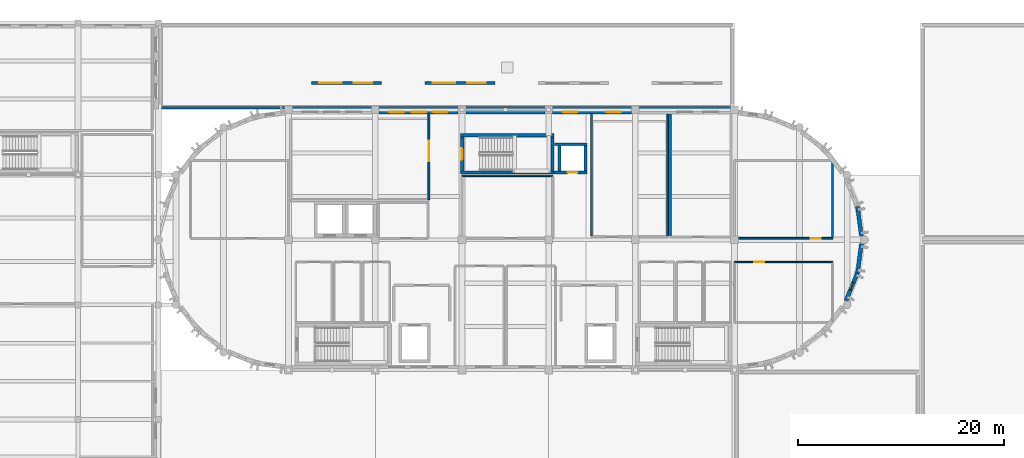
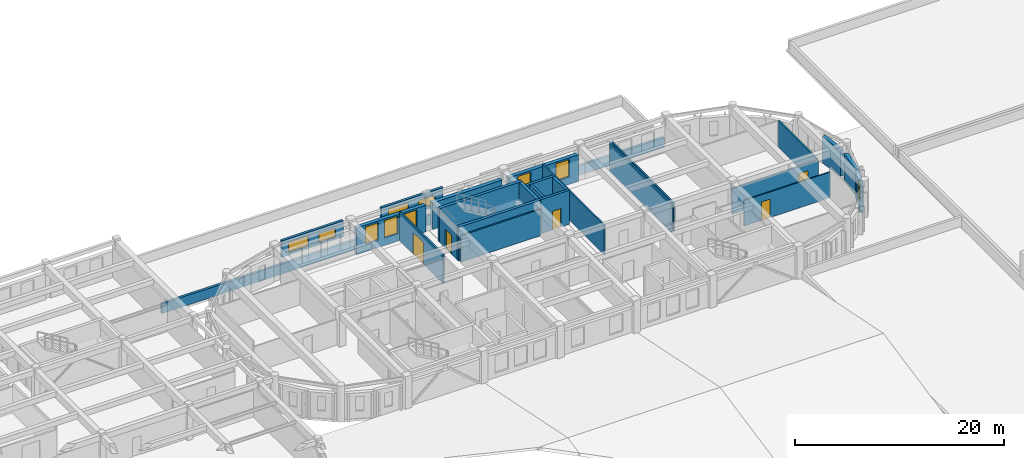
# One storey, part 24 of 46: 25 walls, 10 windows, 5 doors, 15 openings.
"""IFC4 building model written with IfcOpenShell, lengths in metres."""

from ifc_helpers import new_model, si_unit, direction, frame, frame_2d, origin, place, context, subcontext, project, spatial, rectangle, extrude, material, layer, layer_set, type_object, element, fill, save


model = new_model("IFC4")

# Units and contexts
model_context = context("Model", 3, precision=1e-05, world=origin(), true_north=direction((0.0, 1.0)))
body_context = subcontext(model_context, "Body", "Model", "MODEL_VIEW")
ifc_project = project(units=[si_unit("LENGTHUNIT", "METRE"), si_unit("AREAUNIT", "SQUARE_METRE"), si_unit("VOLUMEUNIT", "CUBIC_METRE"), si_unit("PLANEANGLEUNIT", "RADIAN"), si_unit("MASSUNIT", "GRAM", prefix="KILO")], contexts=[model_context])

# Site, building, storey
site_placement = place(None, origin())
site = spatial("IfcSite", under=ifc_project, at=site_placement, CompositionType="ELEMENT")
building_placement = place(site_placement, origin())
building = spatial("IfcBuilding", under=site, at=building_placement, Name="Tarnavel Promenade Courthouse", CompositionType="ELEMENT")
storey_placement = place(building_placement, frame((0.0, 0.0, 14.39990234375)))
storey = spatial("IfcBuildingStorey", under=building, at=storey_placement, Name="L04", CompositionType="ELEMENT", Elevation=14.39990234375)

# Walls
ifc_material_1 = material(Name="Acoustic Insulated Gypsum Stud Partition", Category="gypsum")
ifc_layer_1 = layer(ifc_material_1, 0.1650390625)
ifc_layer_set_1 = layer_set([ifc_layer_1], Name="Acoustic Insulated Gypsum Stud Partition")
wall_type_1 = type_object("IfcWallType", Name="Acoustic Insulated Gypsum Stud Partition WL-CHM-165 (165 mm)", PredefinedType="PARTITIONING", material=ifc_layer_set_1)
wall_1_placement = place(storey_placement, frame((75.60009765625, 98.0, 0.0), z_axis=(0.0, 0.0, 1.0), x_axis=(1.0, 0.0, 0.0)))
element("IfcWall", 1, at=wall_1_placement, inside=storey, type_object=wall_type_1, Name="L04 L04 Judicial Panel Deliberation Salon Partition 0628", PredefinedType="PARTITIONING", context=body_context, shape_type="SweptSolid", body=[
    extrude(rectangle(XDim=8.7998046875, YDim=0.1650390625, at=frame_2d((4.39990234375, 0.0))), origin(), (0.0, 0.0, 1.0), 3.090087890625),
])
wall_2_placement = place(storey_placement, frame((88.139892578125, 92.1826171875, 0.0), z_axis=(0.0, 0.0, 1.0), x_axis=(0.0, 1.0, 0.0)))
element("IfcWall", 2, at=wall_2_placement, inside=storey, type_object=wall_type_1, Name="L04 Judges' Chambers L04 North Partition 0633", PredefinedType="PARTITIONING", context=body_context, shape_type="SweptSolid", body=[
    extrude(rectangle(XDim=11.79833984375, YDim=0.1650390625, at=frame_2d((5.899169921875, 0.0))), origin(), (0.0, 0.0, 1.0), 3.39013671875),
])
for number, where, z_axis, x_axis, name in (
    (3, (95.527099609375, 103.98095703125, 0.0), (0.0, 0.0, 1.0), (0.0, -1.0, 0.0), "L04 Judges' Chambers L04 North Partition 0634"),
    (4, (95.806884765625, 92.1826171875, 0.0), (0.0, 0.0, 1.0), (0.0, 1.0, 0.0), "L04 Jury Room L04 Partition 0636"),
):
    element("IfcWall", number, at=place(storey_placement, frame(where, z_axis=z_axis, x_axis=x_axis)), inside=storey, type_object=wall_type_1, Name=name, PredefinedType="PARTITIONING", context=body_context, shape_type="SweptSolid", body=[
        extrude(rectangle(XDim=11.79833984375, YDim=0.1650390625, at=frame_2d((5.899169921875, 0.0))), origin(), (0.0, 0.0, 1.0), 3.2900390625),
    ])

# Wall, opening, door
wall_3_placement = place(storey_placement, frame((111.5, 91.949951171875, 0.0), z_axis=(0.0, 0.0, 1.0), x_axis=(-1.0, 0.0, 0.0)))
wall_3 = element("IfcWall", 5, at=wall_3_placement, inside=storey, type_object=wall_type_1, Name="L04 L04 East Drum Rotunda Jury North Partition 0649", PredefinedType="PARTITIONING", context=body_context, shape_type="SweptSolid", body=[
    extrude(rectangle(XDim=9.5, YDim=0.1650390625, at=frame_2d((4.75, 0.0))), origin(), (0.0, 0.0, 1.0), 2.989990234375),
])
opening_1_placement = place(wall_3_placement, frame((1.1298828125, 0.0, 0.0)))
opening_1 = element("IfcOpeningElement", 6, at=opening_1_placement, cuts=wall_3, Name="Opening ID-03", PredefinedType="OPENING", context=body_context, shape_type="SweptSolid", body=[
    extrude(rectangle(XDim=1.0, YDim=2.14990234375, at=frame_2d((0.5, 1.074951171875))), frame((0.0, 0.092529296875, 0.0), z_axis=(0.0, -1.0, 0.0), x_axis=(1.0, 0.0, 0.0)), (0.0, 0.0, 1.0), 0.18505859375),
])
ifc_material_2 = material(Name="Acoustic Solid-Core Oak Jury Room Door")
door_type_1 = type_object("IfcDoorType", Name="Acoustic Solid-Core Oak Jury Room Door (DR-JRY-1000x2150)", OperationType="NOTDEFINED", PredefinedType="DOOR", material=ifc_material_2)
door_1_placement = place(opening_1_placement, origin())
door_1 = element("IfcDoor", 7, at=door_1_placement, inside=storey, type_object=door_type_1, Name="L04 L04 East Drum Rotunda Jury North Door 0186", OperationType="SINGLE_SWING_RIGHT", OverallHeight=2.14990234375, OverallWidth=1.0, PredefinedType="DOOR", context=body_context, shape_type="SweptSolid", body=[
    extrude(rectangle(XDim=1.0, YDim=2.14990234375, at=frame_2d((0.5, 1.074951171875))), frame((0.0, 0.02490234375, 0.0), z_axis=(0.0, -1.0, 0.0), x_axis=(1.0, 0.0, 0.0)), (0.0, 0.0, 1.0), 0.050048828125),
])
fill(opening_1, door_1)

# Walls
wall_4_placement = place(storey_placement, frame((111.5, 99.407470703125, 0.0), z_axis=(0.0, 0.0, 1.0), x_axis=(0.0, -1.0, 0.0)))
element("IfcWall", 8, at=wall_4_placement, inside=storey, type_object=wall_type_1, Name="L04 L04 East Drum Rotunda Jury North Partition 0651", PredefinedType="PARTITIONING", context=body_context, shape_type="SweptSolid", body=[
    extrude(rectangle(XDim=7.364990234375, YDim=0.1650390625, at=frame_2d((3.6826171875, 0.0))), origin(), (0.0, 0.0, 1.0), 3.090087890625),
])
ifc_material_3 = material(Name="Concrete C35/45", Category="concrete")
ifc_layer_2 = layer(ifc_material_3, 0.264892578125)
ifc_layer_set_2 = layer_set([ifc_layer_2], Name="Concrete C35/45")
wall_type_2 = type_object("IfcWallType", Name="Concrete C35/45 WL-PAR-265 (265 mm)", PredefinedType="PARAPET", material=ifc_layer_set_2)
wall_5_placement = place(storey_placement, frame((101.800048828125, 104.60009765625, 0.235107421875), z_axis=(0.0, 0.0, 1.0), x_axis=(-1.0, 0.0, 0.0)))
element("IfcWall", 9, at=wall_5_placement, inside=storey, type_object=wall_type_2, Name="L04 North Foyer Roof Parapet South 0463", PredefinedType="PARAPET", context=body_context, shape_type="SweptSolid", body=[
    extrude(rectangle(XDim=55.400146484375, YDim=0.264892578125, at=frame_2d((27.7001953125, 0.0))), origin(), (0.0, 0.0, 1.0), 1.14501953125),
])

# Wall, openings, windows
wall_6_placement = place(storey_placement, frame((61.0, 107.0, 0.235107421875), z_axis=(0.0, 0.0, 1.0), x_axis=(1.0, 0.0, 0.0)))
wall_6 = element("IfcWall", 10, at=wall_6_placement, inside=storey, type_object=wall_type_2, Name="L04 North Foyer Skylight Lantern Curb 1 0478", PredefinedType="PARAPET", context=body_context, shape_type="SweptSolid", body=[
    extrude(rectangle(XDim=6.800048828125, YDim=0.264892578125, at=frame_2d((3.39990234375, 0.0))), origin(), (0.0, 0.0, 1.0), 1.9150390625),
])
opening_2_placement = place(wall_6_placement, frame((0.75, 0.0, 0.300048828125)))
opening_2 = element("IfcOpeningElement", 11, at=opening_2_placement, cuts=wall_6, Name="Opening SK-01", PredefinedType="OPENING", context=body_context, shape_type="SweptSolid", body=[
    extrude(rectangle(XDim=2.199951171875, YDim=1.199951171875, at=frame_2d((1.10009765625, 0.60009765625))), frame((0.0, 0.142333984375, 0.0), z_axis=(0.0, -1.0, 0.0), x_axis=(1.0, 0.0, 0.0)), (0.0, 0.0, 1.0), 0.284912109375),
])
opening_3_placement = place(wall_6_placement, frame((4.10009765625, 0.0, 0.300048828125)))
opening_3 = element("IfcOpeningElement", 12, at=opening_3_placement, cuts=wall_6, Name="Opening SK-02", PredefinedType="OPENING", context=body_context, shape_type="SweptSolid", body=[
    extrude(rectangle(XDim=1.800048828125, YDim=1.050048828125, at=frame_2d((0.89990234375, 0.52490234375))), frame((0.0, 0.142333984375, 0.0), z_axis=(0.0, -1.0, 0.0), x_axis=(1.0, 0.0, 0.0)), (0.0, 0.0, 1.0), 0.284912109375),
])
ifc_material_4 = material(Name="Triple Low-E Glazed Bronze-Clad Window Assembly")
window_type_1 = type_object("IfcWindowType", Name="Triple-Glazed Bronze-Clad Timber-Aluminium SKY-LAN-1800x1050", PartitioningType="SINGLE_PANEL", PredefinedType="SKYLIGHT", material=ifc_material_4)
window_1_placement = place(opening_3_placement, origin())
window_1 = element("IfcWindow", 13, at=window_1_placement, inside=storey, type_object=window_type_1, Name="Daylight Lantern Skylight 1B", OverallHeight=1.050048828125, OverallWidth=1.800048828125, PartitioningType="SINGLE_PANEL", PredefinedType="SKYLIGHT", context=body_context, shape_type="SweptSolid", body=[
    extrude(rectangle(XDim=1.800048828125, YDim=1.050048828125, at=frame_2d((0.89990234375, 0.52490234375))), frame((0.0, 0.030029296875, 0.0), z_axis=(0.0, -1.0, 0.0), x_axis=(1.0, 0.0, 0.0)), (0.0, 0.0, 1.0), 0.06005859375),
])
fill(opening_3, window_1)
window_type_2 = type_object("IfcWindowType", Name="Triple-Glazed Bronze-Clad Timber-Aluminium SKY-LAN-2200x1200", PartitioningType="SINGLE_PANEL", PredefinedType="SKYLIGHT", material=ifc_material_4)
window_2_placement = place(opening_2_placement, origin())
window_2 = element("IfcWindow", 14, at=window_2_placement, inside=storey, type_object=window_type_2, Name="Daylight Lantern Skylight 1A", OverallHeight=1.199951171875, OverallWidth=2.199951171875, PartitioningType="SINGLE_PANEL", PredefinedType="SKYLIGHT", context=body_context, shape_type="SweptSolid", body=[
    extrude(rectangle(XDim=2.199951171875, YDim=1.199951171875, at=frame_2d((1.10009765625, 0.60009765625))), frame((0.0, 0.030029296875, 0.0), z_axis=(0.0, -1.0, 0.0), x_axis=(1.0, 0.0, 0.0)), (0.0, 0.0, 1.0), 0.06005859375),
])
fill(opening_2, window_2)

wall_7_placement = place(storey_placement, frame((72.0, 107.0, 0.235107421875), z_axis=(0.0, 0.0, 1.0), x_axis=(1.0, 0.0, 0.0)))
wall_7 = element("IfcWall", 15, at=wall_7_placement, inside=storey, type_object=wall_type_2, Name="L04 North Foyer Skylight Lantern Curb 2 0479", PredefinedType="PARAPET", context=body_context, shape_type="SweptSolid", body=[
    extrude(rectangle(XDim=6.800048828125, YDim=0.264892578125, at=frame_2d((3.39990234375, 0.0))), origin(), (0.0, 0.0, 1.0), 1.9150390625),
])
opening_4_placement = place(wall_7_placement, frame((0.75, 0.0, 0.300048828125)))
opening_4 = element("IfcOpeningElement", 16, at=opening_4_placement, cuts=wall_7, Name="Opening SK-01", PredefinedType="OPENING", context=body_context, shape_type="SweptSolid", body=[
    extrude(rectangle(XDim=2.199951171875, YDim=1.199951171875, at=frame_2d((1.10009765625, 0.60009765625))), frame((0.0, 0.142333984375, 0.0), z_axis=(0.0, -1.0, 0.0), x_axis=(1.0, 0.0, 0.0)), (0.0, 0.0, 1.0), 0.284912109375),
])
opening_5_placement = place(wall_7_placement, frame((4.10009765625, 0.0, 0.300048828125)))
opening_5 = element("IfcOpeningElement", 17, at=opening_5_placement, cuts=wall_7, Name="Opening SK-02", PredefinedType="OPENING", context=body_context, shape_type="SweptSolid", body=[
    extrude(rectangle(XDim=1.800048828125, YDim=1.050048828125, at=frame_2d((0.89990234375, 0.52490234375))), frame((0.0, 0.142333984375, 0.0), z_axis=(0.0, -1.0, 0.0), x_axis=(1.0, 0.0, 0.0)), (0.0, 0.0, 1.0), 0.284912109375),
])
window_3_placement = place(opening_5_placement, origin())
window_3 = element("IfcWindow", 18, at=window_3_placement, inside=storey, type_object=window_type_1, Name="Daylight Lantern Skylight 2B", OverallHeight=1.050048828125, OverallWidth=1.800048828125, PartitioningType="SINGLE_PANEL", PredefinedType="SKYLIGHT", context=body_context, shape_type="SweptSolid", body=[
    extrude(rectangle(XDim=1.800048828125, YDim=1.050048828125, at=frame_2d((0.89990234375, 0.52490234375))), frame((0.0, 0.030029296875, 0.0), z_axis=(0.0, -1.0, 0.0), x_axis=(1.0, 0.0, 0.0)), (0.0, 0.0, 1.0), 0.06005859375),
])
fill(opening_5, window_3)
window_4_placement = place(opening_4_placement, origin())
window_4 = element("IfcWindow", 19, at=window_4_placement, inside=storey, type_object=window_type_2, Name="Daylight Lantern Skylight 2A", OverallHeight=1.199951171875, OverallWidth=2.199951171875, PartitioningType="SINGLE_PANEL", PredefinedType="SKYLIGHT", context=body_context, shape_type="SweptSolid", body=[
    extrude(rectangle(XDim=2.199951171875, YDim=1.199951171875, at=frame_2d((1.10009765625, 0.60009765625))), frame((0.0, 0.030029296875, 0.0), z_axis=(0.0, -1.0, 0.0), x_axis=(1.0, 0.0, 0.0)), (0.0, 0.0, 1.0), 0.06005859375),
])
fill(opening_4, window_4)

# Wall
ifc_material_5 = material(Name="Concrete C40/50", Category="concrete")
ifc_layer_3 = layer(ifc_material_5, 0.280029296875)
ifc_layer_set_3 = layer_set([ifc_layer_3], Name="Concrete C40/50")
wall_type_3 = type_object("IfcWallType", Name="Concrete C40/50 WL-SHR-280 (280 mm)", PredefinedType="SHEAR", material=ifc_layer_set_3)
wall_8_placement = place(storey_placement, frame((84.5400390625, 101.06005859375, 0.0), z_axis=(0.0, 0.0, 1.0), x_axis=(1.0, 0.0, 0.0)))
element("IfcWall", 20, at=wall_8_placement, inside=storey, type_object=wall_type_3, Name="L04 L-JUD1 Lift Shaft North Wall", PredefinedType="SHEAR", context=body_context, shape_type="SweptSolid", body=[
    extrude(rectangle(XDim=3.159912109375, YDim=0.280029296875, at=frame_2d((1.580078125, 0.0))), origin(), (0.0, 0.0, 1.0), 3.960205078125),
])

# Wall, opening, door
wall_9_placement = place(storey_placement, frame((87.699951171875, 98.340087890625, 0.0), z_axis=(0.0, 0.0, 1.0), x_axis=(-1.0, 0.0, 0.0)))
wall_9 = element("IfcWall", 21, at=wall_9_placement, inside=storey, type_object=wall_type_3, Name="L04 L-JUD1 Lift Shaft South Wall", PredefinedType="SHEAR", context=body_context, shape_type="SweptSolid", body=[
    extrude(rectangle(XDim=3.159912109375, YDim=0.280029296875, at=frame_2d((1.580078125, 0.0))), origin(), (0.0, 0.0, 1.0), 3.960205078125),
])
opening_6_placement = place(wall_9_placement, frame((0.925048828125, 0.0, 0.0)))
opening_6 = element("IfcOpeningElement", 22, at=opening_6_placement, cuts=wall_9, Name="Opening LD-03", PredefinedType="OPENING", context=body_context, shape_type="SweptSolid", body=[
    extrude(rectangle(XDim=0.949951171875, YDim=2.14990234375, at=frame_2d((0.47509765625, 1.074951171875))), frame((0.0, 0.14990234375, 0.0), z_axis=(0.0, -1.0, 0.0), x_axis=(1.0, 0.0, 0.0)), (0.0, 0.0, 1.0), 0.300048828125),
])
ifc_material_6 = material(Name="Stainless Steel Judicial Lift Landing Sliding Door", Category="steel")
door_type_2 = type_object("IfcDoorType", Name="Stainless Steel Judicial Lift Landing Sliding Door (LD-JUD-0950x2150)", OperationType="NOTDEFINED", PredefinedType="DOOR", material=ifc_material_6)
door_2_placement = place(opening_6_placement, origin())
door_2 = element("IfcDoor", 23, at=door_2_placement, inside=storey, type_object=door_type_2, Name="L04 L-JUD1 Lift Sliding Landing Door", OperationType="DOUBLE_DOOR_SLIDING", OverallHeight=2.14990234375, OverallWidth=0.949951171875, PredefinedType="DOOR", context=body_context, shape_type="SweptSolid", body=[
    extrude(rectangle(XDim=0.949951171875, YDim=2.14990234375, at=frame_2d((0.47509765625, 1.074951171875))), frame((0.0, 0.02490234375, 0.0), z_axis=(0.0, -1.0, 0.0), x_axis=(1.0, 0.0, 0.0)), (0.0, 0.0, 1.0), 0.050048828125),
])
fill(opening_6, door_2)

# Walls
for number, where, z_axis, x_axis, name in (
    (24, (85.0400390625, 98.47998046875, 0.0), (0.0, 0.0, 1.0), (0.0, 1.0, 0.0), "L04 L-JUD1 Lift Shaft West Wall"),
    (25, (87.56005859375, 100.919921875, 0.0), (0.0, 0.0, 1.0), (0.0, -1.0, 0.0), "L04 L-JUD1 Lift Shaft East Wall"),
):
    element("IfcWall", number, at=place(storey_placement, frame(where, z_axis=z_axis, x_axis=x_axis)), inside=storey, type_object=wall_type_3, Name=name, PredefinedType="SHEAR", context=body_context, shape_type="SweptSolid", body=[
        extrude(rectangle(XDim=2.43994140625, YDim=0.280029296875, at=frame_2d((1.219970703125, 0.0))), origin(), (0.0, 0.0, 1.0), 3.960205078125),
    ])
ifc_layer_4 = layer(ifc_material_5, 0.320068359375)
ifc_layer_set_4 = layer_set([ifc_layer_4], Name="Concrete C40/50")
wall_type_4 = type_object("IfcWallType", Name="Concrete C40/50 WL-SHR-320 (320 mm)", PredefinedType="SHEAR", material=ifc_layer_set_4)
for number, where, z_axis, x_axis, name in (
    (26, (75.4599609375, 101.919921875, 0.0), (0.0, 0.0, 1.0), (1.0, 0.0, 0.0), "L04 ST-03 Shear Core North Wall"),
    (27, (84.5400390625, 98.320068359375, 0.0), (0.0, 0.0, 1.0), (-1.0, 0.0, 0.0), "L04 ST-03 Shear Core South Wall"),
):
    element("IfcWall", number, at=place(storey_placement, frame(where, z_axis=z_axis, x_axis=x_axis)), inside=storey, type_object=wall_type_4, Name=name, PredefinedType="SHEAR", context=body_context, shape_type="SweptSolid", body=[
        extrude(rectangle(XDim=9.080078125, YDim=0.320068359375, at=frame_2d((4.5400390625, 0.0))), origin(), (0.0, 0.0, 1.0), 3.960205078125),
    ])

# Wall, opening, door
wall_10_placement = place(storey_placement, frame((75.6201171875, 98.47998046875, 0.0), z_axis=(0.0, 0.0, 1.0), x_axis=(0.0, 1.0, 0.0)))
wall_10 = element("IfcWall", 28, at=wall_10_placement, inside=storey, type_object=wall_type_4, Name="L04 ST-03 Shear Core West Landing Wall", PredefinedType="SHEAR", context=body_context, shape_type="SweptSolid", body=[
    extrude(rectangle(XDim=3.280029296875, YDim=0.320068359375, at=frame_2d((1.64013671875, 0.0))), origin(), (0.0, 0.0, 1.0), 3.960205078125),
])
opening_7_placement = place(wall_10_placement, frame((1.06494140625, 0.0, 0.0)))
opening_7 = element("IfcOpeningElement", 29, at=opening_7_placement, cuts=wall_10, Name="Opening FD-01", PredefinedType="OPENING", context=body_context, shape_type="SweptSolid", body=[
    extrude(rectangle(XDim=1.14990234375, YDim=2.199951171875, at=frame_2d((0.574951171875, 1.10009765625))), frame((0.0, 0.169921875, 0.0), z_axis=(0.0, -1.0, 0.0), x_axis=(1.0, 0.0, 0.0)), (0.0, 0.0, 1.0), 0.340087890625),
])
ifc_material_7 = material(Name="Steel Fire-Rated Stair Core Door", Category="steel")
door_type_3 = type_object("IfcDoorType", Name="Steel Fire-Rated Stair Core Door (DR-ST-1150x2200)", OperationType="NOTDEFINED", PredefinedType="DOOR", material=ifc_material_7)
door_3_placement = place(opening_7_placement, origin())
door_3 = element("IfcDoor", 30, at=door_3_placement, inside=storey, type_object=door_type_3, Name="L04 ST-03 Protected Exit Stair Door", OperationType="SINGLE_SWING_RIGHT", OverallHeight=2.199951171875, OverallWidth=1.14990234375, PredefinedType="DOOR", context=body_context, shape_type="SweptSolid", body=[
    extrude(rectangle(XDim=1.14990234375, YDim=2.199951171875, at=frame_2d((0.574951171875, 1.10009765625))), frame((0.0, 0.02490234375, 0.0), z_axis=(0.0, -1.0, 0.0), x_axis=(1.0, 0.0, 0.0)), (0.0, 0.0, 1.0), 0.050048828125),
])
fill(opening_7, door_3)

# Wall
wall_11_placement = place(storey_placement, frame((84.3798828125, 101.760009765625, 0.0), z_axis=(0.0, 0.0, 1.0), x_axis=(0.0, -1.0, 0.0)))
element("IfcWall", 31, at=wall_11_placement, inside=storey, type_object=wall_type_4, Name="L04 ST-03 Shear Core East Wall", PredefinedType="SHEAR", context=body_context, shape_type="SweptSolid", body=[
    extrude(rectangle(XDim=3.280029296875, YDim=0.320068359375, at=frame_2d((1.64013671875, 0.0))), origin(), (0.0, 0.0, 1.0), 3.960205078125),
])

# Wall, openings, windows
ifc_material_8 = material(Name="Cream Brick Insulated Cavity Facade Assembly", Category="masonry")
ifc_layer_5 = layer(ifc_material_8, 0.409912109375)
ifc_layer_set_5 = layer_set([ifc_layer_5], Name="Cream Brick Insulated Cavity Facade Assembly")
wall_type_5 = type_object("IfcWallType", Name="Cream Brick Insulated Cavity Facade Assembly WL-EXT-410 (410 mm)", PredefinedType="STANDARD", material=ifc_layer_set_5)
wall_12_placement = place(storey_placement, frame((67.56689453125, 104.179931640625, 0.0), z_axis=(0.0, 0.0, 1.0), x_axis=(1.0, 0.0, 0.0)))
wall_12 = element("IfcWall", 32, at=wall_12_placement, inside=storey, type_object=wall_type_5, Name="L04 Bar North Limestone Facade 0075", PredefinedType="STANDARD", context=body_context, shape_type="SweptSolid", body=[
    extrude(rectangle(XDim=7.666015625, YDim=0.409912109375, at=frame_2d((3.8330078125, 0.0))), origin(), (0.0, 0.0, 1.0), 3.090087890625),
])
opening_8_placement = place(wall_12_placement, frame((0.99462890625, 0.0, 0.85009765625)))
opening_8 = element("IfcOpeningElement", 33, at=opening_8_placement, cuts=wall_12, Name="Opening W-03", PredefinedType="OPENING", context=body_context, shape_type="SweptSolid", body=[
    extrude(rectangle(XDim=1.449951171875, YDim=2.050048828125, at=frame_2d((0.72509765625, 1.02490234375))), frame((0.0, 0.21484375, 0.0), z_axis=(0.0, -1.0, 0.0), x_axis=(1.0, 0.0, 0.0)), (0.0, 0.0, 1.0), 0.429931640625),
])
opening_9_placement = place(wall_12_placement, frame((3.10791015625, 0.0, 0.85009765625)))
opening_9 = element("IfcOpeningElement", 34, at=opening_9_placement, cuts=wall_12, Name="Opening W-03", PredefinedType="OPENING", context=body_context, shape_type="SweptSolid", body=[
    extrude(rectangle(XDim=1.449951171875, YDim=2.050048828125, at=frame_2d((0.72509765625, 1.02490234375))), frame((0.0, 0.21484375, 0.0), z_axis=(0.0, -1.0, 0.0), x_axis=(1.0, 0.0, 0.0)), (0.0, 0.0, 1.0), 0.429931640625),
])
opening_10_placement = place(wall_12_placement, frame((5.22119140625, 0.0, 0.85009765625)))
opening_10 = element("IfcOpeningElement", 35, at=opening_10_placement, cuts=wall_12, Name="Opening W-03", PredefinedType="OPENING", context=body_context, shape_type="SweptSolid", body=[
    extrude(rectangle(XDim=1.449951171875, YDim=2.050048828125, at=frame_2d((0.72509765625, 1.02490234375))), frame((0.0, 0.21484375, 0.0), z_axis=(0.0, -1.0, 0.0), x_axis=(1.0, 0.0, 0.0)), (0.0, 0.0, 1.0), 0.429931640625),
])
window_type_3 = type_object("IfcWindowType", Name="Triple-Glazed Bronze-Clad Timber-Aluminium WIN-APP-1450x2050", PartitioningType="SINGLE_PANEL", PredefinedType="WINDOW", material=ifc_material_4)
window_5_placement = place(opening_8_placement, origin())
window_5 = element("IfcWindow", 36, at=window_5_placement, inside=storey, type_object=window_type_3, Name="L04 Exterior Window 0050", OverallHeight=2.050048828125, OverallWidth=1.449951171875, PartitioningType="SINGLE_PANEL", PredefinedType="WINDOW", context=body_context, shape_type="SweptSolid", body=[
    extrude(rectangle(XDim=1.449951171875, YDim=2.050048828125, at=frame_2d((0.72509765625, 1.02490234375))), frame((0.0, 0.030029296875, 0.0), z_axis=(0.0, -1.0, 0.0), x_axis=(1.0, 0.0, 0.0)), (0.0, 0.0, 1.0), 0.06005859375),
])
fill(opening_8, window_5)
window_6_placement = place(opening_9_placement, origin())
window_6 = element("IfcWindow", 37, at=window_6_placement, inside=storey, type_object=window_type_3, Name="L04 Exterior Window 0051", OverallHeight=2.050048828125, OverallWidth=1.449951171875, PartitioningType="SINGLE_PANEL", PredefinedType="WINDOW", context=body_context, shape_type="SweptSolid", body=[
    extrude(rectangle(XDim=1.449951171875, YDim=2.050048828125, at=frame_2d((0.72509765625, 1.02490234375))), frame((0.0, 0.030029296875, 0.0), z_axis=(0.0, -1.0, 0.0), x_axis=(1.0, 0.0, 0.0)), (0.0, 0.0, 1.0), 0.06005859375),
])
fill(opening_9, window_6)
window_7_placement = place(opening_10_placement, origin())
window_7 = element("IfcWindow", 38, at=window_7_placement, inside=storey, type_object=window_type_3, Name="L04 Exterior Window 0052", OverallHeight=2.050048828125, OverallWidth=1.449951171875, PartitioningType="SINGLE_PANEL", PredefinedType="WINDOW", context=body_context, shape_type="SweptSolid", body=[
    extrude(rectangle(XDim=1.449951171875, YDim=2.050048828125, at=frame_2d((0.72509765625, 1.02490234375))), frame((0.0, 0.030029296875, 0.0), z_axis=(0.0, -1.0, 0.0), x_axis=(1.0, 0.0, 0.0)), (0.0, 0.0, 1.0), 0.06005859375),
])
fill(opening_10, window_7)

# Wall
wall_13_placement = place(storey_placement, frame((75.967041015625, 104.179931640625, 0.0), z_axis=(0.0, 0.0, 1.0), x_axis=(1.0, 0.0, 0.0)))
element("IfcWall", 39, at=wall_13_placement, inside=storey, type_object=wall_type_5, Name="L04 Bar North Limestone Facade 0076", PredefinedType="STANDARD", context=body_context, shape_type="SweptSolid", body=[
    extrude(rectangle(XDim=7.666015625, YDim=0.409912109375, at=frame_2d((3.8330078125, 0.0))), origin(), (0.0, 0.0, 1.0), 3.090087890625),
])

# Wall, openings, windows
wall_14_placement = place(storey_placement, frame((84.366943359375, 104.179931640625, 0.0), z_axis=(0.0, 0.0, 1.0), x_axis=(1.0, 0.0, 0.0)))
wall_14 = element("IfcWall", 40, at=wall_14_placement, inside=storey, type_object=wall_type_5, Name="L04 Bar North Limestone Facade 0077", PredefinedType="STANDARD", context=body_context, shape_type="SweptSolid", body=[
    extrude(rectangle(XDim=7.666015625, YDim=0.409912109375, at=frame_2d((3.8330078125, 0.0))), origin(), (0.0, 0.0, 1.0), 3.090087890625),
])
opening_11_placement = place(wall_14_placement, frame((0.99462890625, 0.0, 0.85009765625)))
opening_11 = element("IfcOpeningElement", 41, at=opening_11_placement, cuts=wall_14, Name="Opening W-03", PredefinedType="OPENING", context=body_context, shape_type="SweptSolid", body=[
    extrude(rectangle(XDim=1.449951171875, YDim=2.050048828125, at=frame_2d((0.72509765625, 1.02490234375))), frame((0.0, 0.21484375, 0.0), z_axis=(0.0, -1.0, 0.0), x_axis=(1.0, 0.0, 0.0)), (0.0, 0.0, 1.0), 0.429931640625),
])
opening_12_placement = place(wall_14_placement, frame((5.22119140625, 0.0, 0.85009765625)))
opening_12 = element("IfcOpeningElement", 42, at=opening_12_placement, cuts=wall_14, Name="Opening W-03", PredefinedType="OPENING", context=body_context, shape_type="SweptSolid", body=[
    extrude(rectangle(XDim=1.449951171875, YDim=2.050048828125, at=frame_2d((0.72509765625, 1.02490234375))), frame((0.0, 0.21484375, 0.0), z_axis=(0.0, -1.0, 0.0), x_axis=(1.0, 0.0, 0.0)), (0.0, 0.0, 1.0), 0.429931640625),
])
window_8_placement = place(opening_11_placement, origin())
window_8 = element("IfcWindow", 43, at=window_8_placement, inside=storey, type_object=window_type_3, Name="L04 Exterior Window 0053", OverallHeight=2.050048828125, OverallWidth=1.449951171875, PartitioningType="SINGLE_PANEL", PredefinedType="WINDOW", context=body_context, shape_type="SweptSolid", body=[
    extrude(rectangle(XDim=1.449951171875, YDim=2.050048828125, at=frame_2d((0.72509765625, 1.02490234375))), frame((0.0, 0.030029296875, 0.0), z_axis=(0.0, -1.0, 0.0), x_axis=(1.0, 0.0, 0.0)), (0.0, 0.0, 1.0), 0.06005859375),
])
fill(opening_11, window_8)
window_9_placement = place(opening_12_placement, origin())
window_9 = element("IfcWindow", 44, at=window_9_placement, inside=storey, type_object=window_type_3, Name="L04 Exterior Window 0054", OverallHeight=2.050048828125, OverallWidth=1.449951171875, PartitioningType="SINGLE_PANEL", PredefinedType="WINDOW", context=body_context, shape_type="SweptSolid", body=[
    extrude(rectangle(XDim=1.449951171875, YDim=2.050048828125, at=frame_2d((0.72509765625, 1.02490234375))), frame((0.0, 0.030029296875, 0.0), z_axis=(0.0, -1.0, 0.0), x_axis=(1.0, 0.0, 0.0)), (0.0, 0.0, 1.0), 0.06005859375),
])
fill(opening_12, window_9)

# Wall, opening, door
ifc_material_9 = material(Name="Double-Stud Acoustic Courtroom Partition Assembly", Category="gypsum")
ifc_layer_6 = layer(ifc_material_9, 0.18505859375)
ifc_layer_set_6 = layer_set([ifc_layer_6], Name="Double-Stud Acoustic Courtroom Partition Assembly")
wall_type_6 = type_object("IfcWallType", Name="Double-Stud Acoustic Courtroom Partition Assembly WL-CRT-185 (185 mm)", PredefinedType="PARTITIONING", material=ifc_layer_set_6)
wall_15_placement = place(storey_placement, frame((72.39990234375, 103.98095703125, 0.0), z_axis=(0.0, 0.0, 1.0), x_axis=(0.0, -1.0, 0.0)))
wall_15 = element("IfcWall", 45, at=wall_15_placement, inside=storey, type_object=wall_type_6, Name="L04 Constitutional Review Courtroom Partition 0623", PredefinedType="PARTITIONING", context=body_context, shape_type="SweptSolid", body=[
    extrude(rectangle(XDim=8.278564453125, YDim=0.18505859375, at=frame_2d((4.13916015625, 0.0))), origin(), (0.0, 0.0, 1.0), 3.340087890625),
])
opening_13_placement = place(wall_15_placement, frame((2.581298828125, 0.0, 0.0)))
opening_13 = element("IfcOpeningElement", 46, at=opening_13_placement, cuts=wall_15, Name="Opening ID-01", PredefinedType="OPENING", context=body_context, shape_type="SweptSolid", body=[
    extrude(rectangle(XDim=2.0, YDim=2.5, at=frame_2d((1.0, 1.25))), frame((0.0, 0.1025390625, 0.0), z_axis=(0.0, -1.0, 0.0), x_axis=(1.0, 0.0, 0.0)), (0.0, 0.0, 1.0), 0.205078125),
])
ifc_material_10 = material(Name="Solid Oak Acoustic Courtroom Double Door")
door_type_4 = type_object("IfcDoorType", Name="Solid Oak Acoustic Courtroom Double Door (DR-CRT-2000x2500)", OperationType="NOTDEFINED", PredefinedType="DOOR", material=ifc_material_10)
door_4_placement = place(opening_13_placement, origin())
door_4 = element("IfcDoor", 47, at=door_4_placement, inside=storey, type_object=door_type_4, Name="L04 Constitutional Review Courtroom Door 0178", OperationType="DOUBLE_DOOR_SINGLE_SWING", OverallHeight=2.5, OverallWidth=2.0, PredefinedType="DOOR", context=body_context, shape_type="SweptSolid", body=[
    extrude(rectangle(XDim=2.0, YDim=2.5, at=frame_2d((1.0, 1.25))), frame((0.0, 0.02490234375, 0.0), z_axis=(0.0, -1.0, 0.0), x_axis=(1.0, 0.0, 0.0)), (0.0, 0.0, 1.0), 0.050048828125),
])
fill(opening_13, door_4)

ifc_material_11 = material(Name="Metal-Stud Acoustic Gypsum Partition", Category="gypsum")
ifc_layer_7 = layer(ifc_material_11, 0.135009765625)
ifc_layer_set_7 = layer_set([ifc_layer_7], Name="Metal-Stud Acoustic Gypsum Partition")
wall_type_7 = type_object("IfcWallType", Name="Metal-Stud Acoustic Gypsum Partition WL-OFF-135 (135 mm)", PredefinedType="PARTITIONING", material=ifc_layer_set_7)
wall_16_placement = place(storey_placement, frame((102.0, 89.64990234375, 0.0), z_axis=(0.0, 0.0, 1.0), x_axis=(1.0, 0.0, 0.0)))
wall_16 = element("IfcWall", 48, at=wall_16_placement, inside=storey, type_object=wall_type_7, Name="L04 L04 East Drum Collegium Reference Room Partition 0652", PredefinedType="PARTITIONING", context=body_context, shape_type="SweptSolid", body=[
    extrude(rectangle(XDim=9.5, YDim=0.135009765625, at=frame_2d((4.75, 0.0))), origin(), (0.0, 0.0, 1.0), 2.989990234375),
])
opening_14_placement = place(wall_16_placement, frame((1.919921875, 0.0, 0.0)))
opening_14 = element("IfcOpeningElement", 49, at=opening_14_placement, cuts=wall_16, Name="Opening ID-06", PredefinedType="OPENING", context=body_context, shape_type="SweptSolid", body=[
    extrude(rectangle(XDim=0.949951171875, YDim=2.14990234375, at=frame_2d((0.47509765625, 1.074951171875))), frame((0.0, 0.077392578125, 0.0), z_axis=(0.0, -1.0, 0.0), x_axis=(1.0, 0.0, 0.0)), (0.0, 0.0, 1.0), 0.155029296875),
])
ifc_material_12 = material(Name="Acoustic Timber Veneer Office Door", Category="wood")
door_type_5 = type_object("IfcDoorType", Name="Acoustic Timber Veneer Office Door (DR-OFF-0950x2150)", OperationType="NOTDEFINED", PredefinedType="DOOR", material=ifc_material_12)
door_5_placement = place(opening_14_placement, origin())
door_5 = element("IfcDoor", 50, at=door_5_placement, inside=storey, type_object=door_type_5, Name="L04 L04 East Drum Collegium Reference Room Door 0187", OperationType="SINGLE_SWING_LEFT", OverallHeight=2.14990234375, OverallWidth=0.949951171875, PredefinedType="DOOR", context=body_context, shape_type="SweptSolid", body=[
    extrude(rectangle(XDim=0.949951171875, YDim=2.14990234375, at=frame_2d((0.47509765625, 1.074951171875))), frame((0.0, 0.02490234375, 0.0), z_axis=(0.0, -1.0, 0.0), x_axis=(1.0, 0.0, 0.0)), (0.0, 0.0, 1.0), 0.050048828125),
])
fill(opening_14, door_5)

# Wall, opening, window
ifc_material_13 = material(Name="Patinated Copper-Bronze Insulated Drum Wall Assembly", Category="masonry")
ifc_layer_8 = layer(ifc_material_13, 0.39501953125)
ifc_layer_set_8 = layer_set([ifc_layer_8], Name="Patinated Copper-Bronze Insulated Drum Wall Assembly")
wall_type_8 = type_object("IfcWallType", Name="Patinated Copper-Bronze Insulated Drum Wall Assembly WL-DRUM-395 (395 mm)", PredefinedType="ELEMENTEDWALL", material=ifc_layer_set_8)
wall_17_placement = place(storey_placement, frame((112.811767578125, 85.91162109375, 0.0), z_axis=(0.0, 0.0, 1.0), x_axis=(0.382702956696, 0.923871445027, 0.0)))
wall_17 = element("IfcWall", 51, at=wall_17_placement, inside=storey, type_object=wall_type_8, Name="L04 E Copper Drum Chord Wall 05 0098", PredefinedType="ELEMENTEDWALL", context=body_context, shape_type="SweptSolid", body=[
    extrude(rectangle(XDim=2.947265625, YDim=0.39501953125, at=frame_2d((1.4736328125, 0.0))), origin(), (0.0, 0.0, 1.0), 3.090087890625),
])
opening_15_placement = place(wall_17_placement, frame((1.110107421875, 0.0, 0.85009765625)))
opening_15 = element("IfcOpeningElement", 52, at=opening_15_placement, cuts=wall_17, Name="Opening W-09", PredefinedType="OPENING", context=body_context, shape_type="SweptSolid", body=[
    extrude(rectangle(XDim=0.800048828125, YDim=1.699951171875, at=frame_2d((0.39990234375, 0.85009765625))), frame((0.0, 0.20751953125, 0.0), z_axis=(0.0, -1.0, 0.0), x_axis=(1.0, 0.0, 0.0)), (0.0, 0.0, 1.0), 0.4150390625),
])
window_type_4 = type_object("IfcWindowType", Name="Triple-Glazed Bronze-Clad Timber-Aluminium WIN-DRM-0800x1700", PartitioningType="SINGLE_PANEL", PredefinedType="WINDOW", material=ifc_material_4)
window_10_placement = place(opening_15_placement, origin())
window_10 = element("IfcWindow", 53, at=window_10_placement, inside=storey, type_object=window_type_4, Name="L04 Exterior Window 0077", OverallHeight=1.699951171875, OverallWidth=0.800048828125, PartitioningType="SINGLE_PANEL", PredefinedType="WINDOW", context=body_context, shape_type="SweptSolid", body=[
    extrude(rectangle(XDim=0.800048828125, YDim=1.699951171875, at=frame_2d((0.39990234375, 0.85009765625))), frame((0.0, 0.030029296875, 0.0), z_axis=(0.0, -1.0, 0.0), x_axis=(1.0, 0.0, 0.0)), (0.0, 0.0, 1.0), 0.06005859375),
])
fill(opening_15, window_10)

# Walls
wall_18_placement = place(storey_placement, frame((113.9228515625, 88.571533203125, 0.0), z_axis=(0.0, 0.0, 1.0), x_axis=(0.130555586306, 0.991440991126, 0.0)))
element("IfcWall", 54, at=wall_18_placement, inside=storey, type_object=wall_type_8, Name="L04 E Copper Drum Chord Wall 06 0099", PredefinedType="ELEMENTEDWALL", context=body_context, shape_type="SweptSolid", body=[
    extrude(rectangle(XDim=2.874267578125, YDim=0.39501953125, at=frame_2d((1.43701171875, 0.0))), origin(), (0.0, 0.0, 1.0), 3.090087890625),
])
wall_19_placement = place(storey_placement, frame((114.298095703125, 92.1787109375, 0.0), z_axis=(0.0, 0.0, 1.0), x_axis=(-0.13054459251, 0.991442438756, 0.0)))
element("IfcWall", 55, at=wall_19_placement, inside=storey, type_object=wall_type_8, Name="L04 E Copper Drum Chord Wall 07 0100", PredefinedType="ELEMENTEDWALL", context=body_context, shape_type="SweptSolid", body=[
    extrude(rectangle(XDim=2.87451171875, YDim=0.39501953125, at=frame_2d((1.437255859375, 0.0))), origin(), (0.0, 0.0, 1.0), 3.090087890625),
])

save(model, "model.ifc")
